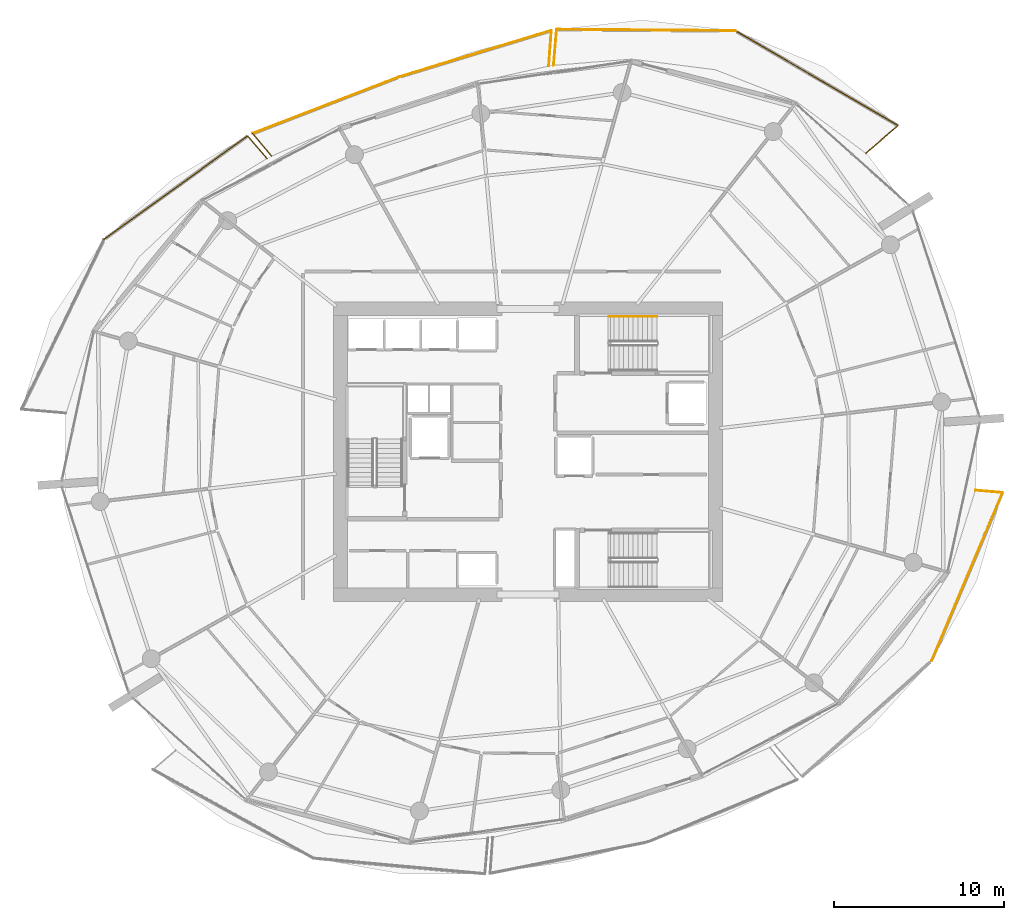
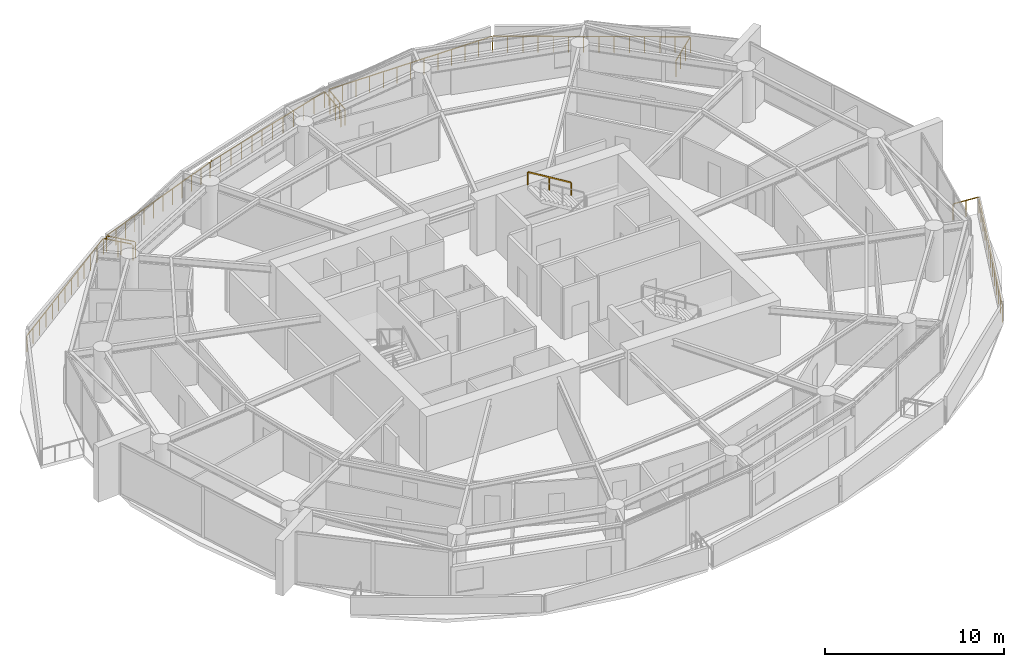
# One storey, part 20 of 20: 13 railings.
"""IFC4 building model written with IfcOpenShell, lengths in metres."""

from ifc_helpers import new_model, si_unit, direction, frame, origin, origin_2d, place, context, subcontext, project, spatial, rectangle, extrude, material, type_object, element, save


model = new_model("IFC4")

# Units and contexts
model_context = context("Model", 3, precision=1e-05, world=origin(), true_north=direction((0.0, 1.0)))
body_context = subcontext(model_context, "Body", "Model", "MODEL_VIEW")
ifc_project = project(units=[si_unit("LENGTHUNIT", "METRE"), si_unit("AREAUNIT", "SQUARE_METRE"), si_unit("VOLUMEUNIT", "CUBIC_METRE"), si_unit("PLANEANGLEUNIT", "RADIAN"), si_unit("MASSUNIT", "GRAM", prefix="KILO")], contexts=[model_context])

# Site, building, storey
site_placement = place(None, origin())
site = spatial("IfcSite", under=ifc_project, at=site_placement, CompositionType="ELEMENT")
building_placement = place(site_placement, origin())
building = spatial("IfcBuilding", under=site, at=building_placement, Name="Kazma Halo Residences", CompositionType="ELEMENT")
storey_placement = place(building_placement, frame((0.0, 0.0, 165.300048828125)))
storey = spatial("IfcBuildingStorey", under=building, at=storey_placement, Name="L41", CompositionType="ELEMENT", Elevation=165.300048828125)

# Railings
ifc_material_1 = material(Name="Aluminium AW-6063 T6 Brushed Cap Rail", Category="aluminium")
railing_type_1 = type_object("IfcRailingType", Name="RLG-BAL-CAP-1120", PredefinedType="BALUSTRADE", material=ifc_material_1)
railing_1_placement = place(storey_placement, frame((68.294677734375, 59.548583984375, 0.0)))
element("IfcRailing", 1, at=railing_1_placement, inside=storey, type_object=railing_type_1, Name="L41 NE wave balcony guard 1", PredefinedType="BALUSTRADE", context=body_context, shape_type="SweptSolid", body=[
    extrude(rectangle(XDim=0.050048828125, YDim=0.050048828125, at=origin_2d()), frame((0.0322265625, 0.02783203125, 1.09521484375), z_axis=(0.756338286359, 0.65418070637, 0.0), x_axis=(-0.65418070637, 0.756338286359, 0.0)), (0.0, 0.0, 1.0), 2.407470703125),
    extrude(rectangle(XDim=0.0400390625, YDim=0.0400390625, at=origin_2d()), origin(), (0.0, 0.0, 1.0), 1.05810546875),
    extrude(rectangle(XDim=0.0400390625, YDim=0.0400390625, at=origin_2d()), frame((0.62841796875, 0.54345703125, 0.0)), (0.0, 0.0, 1.0), 1.05810546875),
    extrude(rectangle(XDim=0.0400390625, YDim=0.0400390625, at=origin_2d()), frame((1.2568359375, 1.087158203125, 0.0)), (0.0, 0.0, 1.0), 1.05810546875),
    extrude(rectangle(XDim=0.0400390625, YDim=0.0400390625, at=origin_2d()), frame((1.88525390625, 1.630615234375, 0.0)), (0.0, 0.0, 1.0), 1.05810546875),
])
railing_2_placement = place(storey_placement, frame((70.179931640625, 61.17919921875, 0.0)))
element("IfcRailing", 2, at=railing_2_placement, inside=storey, type_object=railing_type_1, Name="L41 NE wave balcony guard 2", PredefinedType="BALUSTRADE", context=body_context, shape_type="SweptSolid", body=[
    extrude(rectangle(XDim=0.050048828125, YDim=0.050048828125, at=origin_2d()), frame((-0.036865234375, 0.021484375, 1.09521484375), z_axis=(-0.863969963727, 0.503543346474, 0.0), x_axis=(-0.503543346474, -0.863969963727, 0.0)), (0.0, 0.0, 1.0), 10.98779296875),
    extrude(rectangle(XDim=0.0400390625, YDim=0.0400390625, at=origin_2d()), origin(), (0.0, 0.0, 1.0), 1.05810546875),
    extrude(rectangle(XDim=0.0400390625, YDim=0.0400390625, at=origin_2d()), frame((-0.73583984375, 0.428955078125, 0.0)), (0.0, 0.0, 1.0), 1.05810546875),
    extrude(rectangle(XDim=0.0400390625, YDim=0.0400390625, at=origin_2d()), frame((-1.4716796875, 0.85791015625, 0.0)), (0.0, 0.0, 1.0), 1.05810546875),
    extrude(rectangle(XDim=0.0400390625, YDim=0.0400390625, at=origin_2d()), frame((-2.207763671875, 1.28662109375, 0.0)), (0.0, 0.0, 1.0), 1.05810546875),
    extrude(rectangle(XDim=0.0400390625, YDim=0.0400390625, at=origin_2d()), frame((-2.943603515625, 1.715576171875, 0.0)), (0.0, 0.0, 1.0), 1.05810546875),
    extrude(rectangle(XDim=0.0400390625, YDim=0.0400390625, at=origin_2d()), frame((-3.679443359375, 2.14453125, 0.0)), (0.0, 0.0, 1.0), 1.05810546875),
    extrude(rectangle(XDim=0.0400390625, YDim=0.0400390625, at=origin_2d()), frame((-4.415283203125, 2.573486328125, 0.0)), (0.0, 0.0, 1.0), 1.05810546875),
    extrude(rectangle(XDim=0.0400390625, YDim=0.0400390625, at=origin_2d()), frame((-5.1513671875, 3.002197265625, 0.0)), (0.0, 0.0, 1.0), 1.05810546875),
    extrude(rectangle(XDim=0.0400390625, YDim=0.0400390625, at=origin_2d()), frame((-5.88720703125, 3.43115234375, 0.0)), (0.0, 0.0, 1.0), 1.05810546875),
    extrude(rectangle(XDim=0.0400390625, YDim=0.0400390625, at=origin_2d()), frame((-6.623046875, 3.860107421875, 0.0)), (0.0, 0.0, 1.0), 1.05810546875),
    extrude(rectangle(XDim=0.0400390625, YDim=0.0400390625, at=origin_2d()), frame((-7.35888671875, 4.2890625, 0.0)), (0.0, 0.0, 1.0), 1.05810546875),
    extrude(rectangle(XDim=0.0400390625, YDim=0.0400390625, at=origin_2d()), frame((-8.094970703125, 4.7177734375, 0.0)), (0.0, 0.0, 1.0), 1.05810546875),
    extrude(rectangle(XDim=0.0400390625, YDim=0.0400390625, at=origin_2d()), frame((-8.830810546875, 5.146728515625, 0.0)), (0.0, 0.0, 1.0), 1.05810546875),
    extrude(rectangle(XDim=0.0400390625, YDim=0.0400390625, at=origin_2d()), frame((-9.566650390625, 5.57568359375, 0.0)), (0.0, 0.0, 1.0), 1.05810546875),
])
railing_3_placement = place(storey_placement, frame((60.61328125, 66.7548828125, 0.0)))
element("IfcRailing", 3, at=railing_3_placement, inside=storey, type_object=railing_type_1, Name="L41 NE wave balcony guard 3", PredefinedType="BALUSTRADE", context=body_context, shape_type="SweptSolid", body=[
    extrude(rectangle(XDim=0.050048828125, YDim=0.050048828125, at=origin_2d()), frame((-0.04248046875, 0.000244140625, 1.09521484375), z_axis=(-0.999973550466, 0.007273126395, 0.0), x_axis=(-0.007273126395, -0.999973550466, 0.0)), (0.0, 0.0, 1.0), 10.421630859375),
    extrude(rectangle(XDim=0.0400390625, YDim=0.0400390625, at=origin_2d()), origin(), (0.0, 0.0, 1.0), 1.05810546875),
    extrude(rectangle(XDim=0.0400390625, YDim=0.0400390625, at=origin_2d()), frame((-0.87548828125, 0.00634765625, 0.0)), (0.0, 0.0, 1.0), 1.05810546875),
    extrude(rectangle(XDim=0.0400390625, YDim=0.0400390625, at=origin_2d()), frame((-1.7509765625, 0.0126953125, 0.0)), (0.0, 0.0, 1.0), 1.05810546875),
    extrude(rectangle(XDim=0.0400390625, YDim=0.0400390625, at=origin_2d()), frame((-2.62646484375, 0.01904296875, 0.0)), (0.0, 0.0, 1.0), 1.05810546875),
    extrude(rectangle(XDim=0.0400390625, YDim=0.0400390625, at=origin_2d()), frame((-3.502197265625, 0.025390625, 0.0)), (0.0, 0.0, 1.0), 1.05810546875),
    extrude(rectangle(XDim=0.0400390625, YDim=0.0400390625, at=origin_2d()), frame((-4.377685546875, 0.03173828125, 0.0)), (0.0, 0.0, 1.0), 1.05810546875),
    extrude(rectangle(XDim=0.0400390625, YDim=0.0400390625, at=origin_2d()), frame((-5.253173828125, 0.0380859375, 0.0)), (0.0, 0.0, 1.0), 1.05810546875),
    extrude(rectangle(XDim=0.0400390625, YDim=0.0400390625, at=origin_2d()), frame((-6.128662109375, 0.044677734375, 0.0)), (0.0, 0.0, 1.0), 1.05810546875),
    extrude(rectangle(XDim=0.0400390625, YDim=0.0400390625, at=origin_2d()), frame((-7.004150390625, 0.051025390625, 0.0)), (0.0, 0.0, 1.0), 1.05810546875),
    extrude(rectangle(XDim=0.0400390625, YDim=0.0400390625, at=origin_2d()), frame((-7.8798828125, 0.057373046875, 0.0)), (0.0, 0.0, 1.0), 1.05810546875),
    extrude(rectangle(XDim=0.0400390625, YDim=0.0400390625, at=origin_2d()), frame((-8.75537109375, 0.063720703125, 0.0)), (0.0, 0.0, 1.0), 1.05810546875),
    extrude(rectangle(XDim=0.0400390625, YDim=0.0400390625, at=origin_2d()), frame((-9.630859375, 0.070068359375, 0.0)), (0.0, 0.0, 1.0), 1.05810546875),
    extrude(rectangle(XDim=0.0400390625, YDim=0.0400390625, at=origin_2d()), frame((-10.50634765625, 0.076416015625, 0.0)), (0.0, 0.0, 1.0), 1.05810546875),
])
railing_4_placement = place(storey_placement, frame((50.10693359375, 66.831298828125, 0.0)))
element("IfcRailing", 4, at=railing_4_placement, inside=storey, type_object=railing_type_1, Name="L41 NE wave balcony guard 4", PredefinedType="BALUSTRADE", context=body_context, shape_type="SweptSolid", body=[
    extrude(rectangle(XDim=0.050048828125, YDim=0.050048828125, at=origin_2d()), frame((-0.003662109375, -0.04248046875, 1.09521484375), z_axis=(-0.084476046616, -0.996425510286, 0.0), x_axis=(0.996425510286, -0.084476046616, 0.0)), (0.0, 0.0, 1.0), 2.033447265625),
    extrude(rectangle(XDim=0.0400390625, YDim=0.0400390625, at=origin_2d()), origin(), (0.0, 0.0, 1.0), 1.05810546875),
    extrude(rectangle(XDim=0.0400390625, YDim=0.0400390625, at=origin_2d()), frame((-0.0595703125, -0.70361328125, 0.0)), (0.0, 0.0, 1.0), 1.05810546875),
    extrude(rectangle(XDim=0.0400390625, YDim=0.0400390625, at=origin_2d()), frame((-0.119384765625, -1.4072265625, 0.0)), (0.0, 0.0, 1.0), 1.05810546875),
    extrude(rectangle(XDim=0.0400390625, YDim=0.0400390625, at=origin_2d()), frame((-0.178955078125, -2.11083984375, 0.0)), (0.0, 0.0, 1.0), 1.05810546875),
])
railing_5_placement = place(storey_placement, frame((49.6455078125, 64.67822265625, 0.0)))
element("IfcRailing", 5, at=railing_5_placement, inside=storey, type_object=railing_type_1, Name="L41 NNW wave balcony guard 1", PredefinedType="BALUSTRADE", context=body_context, shape_type="SweptSolid", body=[
    extrude(rectangle(XDim=0.050048828125, YDim=0.050048828125, at=origin_2d()), frame((0.003173828125, 0.04248046875, 1.09521484375), z_axis=(0.072373392649, 0.997377607547, 0.0), x_axis=(-0.997377607547, 0.072373392649, 0.0)), (0.0, 0.0, 1.0), 2.009765625),
    extrude(rectangle(XDim=0.0400390625, YDim=0.0400390625, at=origin_2d()), origin(), (0.0, 0.0, 1.0), 1.05810546875),
    extrude(rectangle(XDim=0.0400390625, YDim=0.0400390625, at=origin_2d()), frame((0.050537109375, 0.696533203125, 0.0)), (0.0, 0.0, 1.0), 1.05810546875),
    extrude(rectangle(XDim=0.0400390625, YDim=0.0400390625, at=origin_2d()), frame((0.10107421875, 1.392822265625, 0.0)), (0.0, 0.0, 1.0), 1.05810546875),
    extrude(rectangle(XDim=0.0400390625, YDim=0.0400390625, at=origin_2d()), frame((0.151611328125, 2.08935546875, 0.0)), (0.0, 0.0, 1.0), 1.05810546875),
])
railing_6_placement = place(storey_placement, frame((49.797119140625, 66.767578125, 0.0)))
element("IfcRailing", 6, at=railing_6_placement, inside=storey, type_object=railing_type_1, Name="L41 NNW wave balcony guard 2", PredefinedType="BALUSTRADE", context=body_context, shape_type="SweptSolid", body=[
    extrude(rectangle(XDim=0.050048828125, YDim=0.050048828125, at=origin_2d()), frame((-0.040771484375, -0.012451171875, 1.09521484375), z_axis=(-0.956417122002, -0.29200391905, 0.0), x_axis=(0.29200391905, -0.956417122002, 0.0)), (0.0, 0.0, 1.0), 9.279052734375),
    extrude(rectangle(XDim=0.0400390625, YDim=0.0400390625, at=origin_2d()), origin(), (0.0, 0.0, 1.0), 1.05810546875),
    extrude(rectangle(XDim=0.0400390625, YDim=0.0400390625, at=origin_2d()), frame((-0.814208984375, -0.24853515625, 0.0)), (0.0, 0.0, 1.0), 1.05810546875),
    extrude(rectangle(XDim=0.0400390625, YDim=0.0400390625, at=origin_2d()), frame((-1.62841796875, -0.4970703125, 0.0)), (0.0, 0.0, 1.0), 1.05810546875),
    extrude(rectangle(XDim=0.0400390625, YDim=0.0400390625, at=origin_2d()), frame((-2.442626953125, -0.745849609375, 0.0)), (0.0, 0.0, 1.0), 1.05810546875),
    extrude(rectangle(XDim=0.0400390625, YDim=0.0400390625, at=origin_2d()), frame((-3.2568359375, -0.994384765625, 0.0)), (0.0, 0.0, 1.0), 1.05810546875),
    extrude(rectangle(XDim=0.0400390625, YDim=0.0400390625, at=origin_2d()), frame((-4.071044921875, -1.242919921875, 0.0)), (0.0, 0.0, 1.0), 1.05810546875),
    extrude(rectangle(XDim=0.0400390625, YDim=0.0400390625, at=origin_2d()), frame((-4.885009765625, -1.491455078125, 0.0)), (0.0, 0.0, 1.0), 1.05810546875),
    extrude(rectangle(XDim=0.0400390625, YDim=0.0400390625, at=origin_2d()), frame((-5.69921875, -1.739990234375, 0.0)), (0.0, 0.0, 1.0), 1.05810546875),
    extrude(rectangle(XDim=0.0400390625, YDim=0.0400390625, at=origin_2d()), frame((-6.513427734375, -1.988525390625, 0.0)), (0.0, 0.0, 1.0), 1.05810546875),
    extrude(rectangle(XDim=0.0400390625, YDim=0.0400390625, at=origin_2d()), frame((-7.32763671875, -2.2373046875, 0.0)), (0.0, 0.0, 1.0), 1.05810546875),
    extrude(rectangle(XDim=0.0400390625, YDim=0.0400390625, at=origin_2d()), frame((-8.141845703125, -2.48583984375, 0.0)), (0.0, 0.0, 1.0), 1.05810546875),
    extrude(rectangle(XDim=0.0400390625, YDim=0.0400390625, at=origin_2d()), frame((-8.9560546875, -2.734375, 0.0)), (0.0, 0.0, 1.0), 1.05810546875),
])
railing_7_placement = place(storey_placement, frame((40.841064453125, 64.033203125, 0.0)))
element("IfcRailing", 7, at=railing_7_placement, inside=storey, type_object=railing_type_1, Name="L41 NNW wave balcony guard 3", PredefinedType="BALUSTRADE", context=body_context, shape_type="SweptSolid", body=[
    extrude(rectangle(XDim=0.050048828125, YDim=0.050048828125, at=origin_2d()), frame((-0.039794921875, -0.015380859375, 1.09521484375), z_axis=(-0.932752497644, -0.36051737564, 0.0), x_axis=(0.36051737564, -0.932752497644, 0.0)), (0.0, 0.0, 1.0), 9.15380859375),
    extrude(rectangle(XDim=0.0400390625, YDim=0.0400390625, at=origin_2d()), origin(), (0.0, 0.0, 1.0), 1.05810546875),
    extrude(rectangle(XDim=0.0400390625, YDim=0.0400390625, at=origin_2d()), frame((-0.783447265625, -0.302734375, 0.0)), (0.0, 0.0, 1.0), 1.05810546875),
    extrude(rectangle(XDim=0.0400390625, YDim=0.0400390625, at=origin_2d()), frame((-1.56689453125, -0.605712890625, 0.0)), (0.0, 0.0, 1.0), 1.05810546875),
    extrude(rectangle(XDim=0.0400390625, YDim=0.0400390625, at=origin_2d()), frame((-2.350341796875, -0.908447265625, 0.0)), (0.0, 0.0, 1.0), 1.05810546875),
    extrude(rectangle(XDim=0.0400390625, YDim=0.0400390625, at=origin_2d()), frame((-3.1337890625, -1.211181640625, 0.0)), (0.0, 0.0, 1.0), 1.05810546875),
    extrude(rectangle(XDim=0.0400390625, YDim=0.0400390625, at=origin_2d()), frame((-3.917236328125, -1.513916015625, 0.0)), (0.0, 0.0, 1.0), 1.05810546875),
    extrude(rectangle(XDim=0.0400390625, YDim=0.0400390625, at=origin_2d()), frame((-4.700439453125, -1.81689453125, 0.0)), (0.0, 0.0, 1.0), 1.05810546875),
    extrude(rectangle(XDim=0.0400390625, YDim=0.0400390625, at=origin_2d()), frame((-5.48388671875, -2.11962890625, 0.0)), (0.0, 0.0, 1.0), 1.05810546875),
    extrude(rectangle(XDim=0.0400390625, YDim=0.0400390625, at=origin_2d()), frame((-6.267333984375, -2.42236328125, 0.0)), (0.0, 0.0, 1.0), 1.05810546875),
    extrude(rectangle(XDim=0.0400390625, YDim=0.0400390625, at=origin_2d()), frame((-7.05078125, -2.72509765625, 0.0)), (0.0, 0.0, 1.0), 1.05810546875),
    extrude(rectangle(XDim=0.0400390625, YDim=0.0400390625, at=origin_2d()), frame((-7.834228515625, -3.028076171875, 0.0)), (0.0, 0.0, 1.0), 1.05810546875),
    extrude(rectangle(XDim=0.0400390625, YDim=0.0400390625, at=origin_2d()), frame((-8.61767578125, -3.330810546875, 0.0)), (0.0, 0.0, 1.0), 1.05810546875),
])
railing_8_placement = place(storey_placement, frame((32.223388671875, 60.702392578125, 0.0)))
element("IfcRailing", 8, at=railing_8_placement, inside=storey, type_object=railing_type_1, Name="L41 NNW wave balcony guard 4", PredefinedType="BALUSTRADE", context=body_context, shape_type="SweptSolid", body=[
    extrude(rectangle(XDim=0.050048828125, YDim=0.050048828125, at=origin_2d()), frame((0.02734375, -0.032470703125, 1.09521484375), z_axis=(0.644739558111, -0.764402316981, 0.0), x_axis=(0.764402316981, 0.644739558111, 0.0)), (0.0, 0.0, 1.0), 1.64501953125),
    extrude(rectangle(XDim=0.0400390625, YDim=0.0400390625, at=origin_2d()), origin(), (0.0, 0.0, 1.0), 1.05810546875),
    extrude(rectangle(XDim=0.0400390625, YDim=0.0400390625, at=origin_2d()), frame((0.5576171875, -0.6611328125, 0.0)), (0.0, 0.0, 1.0), 1.05810546875),
    extrude(rectangle(XDim=0.0400390625, YDim=0.0400390625, at=origin_2d()), frame((1.115478515625, -1.322509765625, 0.0)), (0.0, 0.0, 1.0), 1.05810546875),
])
railing_9_placement = place(storey_placement, frame((33.08544921875, 59.248046875, 0.0)))
element("IfcRailing", 9, at=railing_9_placement, inside=storey, type_object=railing_type_1, Name="L41 NW wave balcony guard 1", PredefinedType="BALUSTRADE", context=body_context, shape_type="SweptSolid", body=[
    extrude(rectangle(XDim=0.050048828125, YDim=0.050048828125, at=origin_2d()), frame((-0.02783203125, 0.0322265625, 1.09521484375), z_axis=(-0.653983459738, 0.756508846207, 0.0), x_axis=(-0.756508846207, -0.653983459738, 0.0)), (0.0, 0.0, 1.0), 1.662841796875),
    extrude(rectangle(XDim=0.0400390625, YDim=0.0400390625, at=origin_2d()), origin(), (0.0, 0.0, 1.0), 1.05810546875),
    extrude(rectangle(XDim=0.0400390625, YDim=0.0400390625, at=origin_2d()), frame((-0.571533203125, 0.6611328125, 0.0)), (0.0, 0.0, 1.0), 1.05810546875),
    extrude(rectangle(XDim=0.0400390625, YDim=0.0400390625, at=origin_2d()), frame((-1.14306640625, 1.322265625, 0.0)), (0.0, 0.0, 1.0), 1.05810546875),
])
railing_10_placement = place(storey_placement, frame((31.9423828125, 60.5703125, 0.0)))
element("IfcRailing", 10, at=railing_10_placement, inside=storey, type_object=railing_type_1, Name="L41 NW wave balcony guard 2", PredefinedType="BALUSTRADE", context=body_context, shape_type="SweptSolid", body=[
    extrude(rectangle(XDim=0.050048828125, YDim=0.050048828125, at=origin_2d()), frame((-0.034423828125, -0.02490234375, 1.09521484375), z_axis=(-0.811368830373, -0.58453453371, 0.0), x_axis=(0.58453453371, -0.811368830373, 0.0)), (0.0, 0.0, 1.0), 10.324951171875),
    extrude(rectangle(XDim=0.0400390625, YDim=0.0400390625, at=origin_2d()), origin(), (0.0, 0.0, 1.0), 1.05810546875),
    extrude(rectangle(XDim=0.0400390625, YDim=0.0400390625, at=origin_2d()), frame((-0.703857421875, -0.507080078125, 0.0)), (0.0, 0.0, 1.0), 1.05810546875),
    extrude(rectangle(XDim=0.0400390625, YDim=0.0400390625, at=origin_2d()), frame((-1.40771484375, -1.01416015625, 0.0)), (0.0, 0.0, 1.0), 1.05810546875),
    extrude(rectangle(XDim=0.0400390625, YDim=0.0400390625, at=origin_2d()), frame((-2.111572265625, -1.521240234375, 0.0)), (0.0, 0.0, 1.0), 1.05810546875),
    extrude(rectangle(XDim=0.0400390625, YDim=0.0400390625, at=origin_2d()), frame((-2.8154296875, -2.0283203125, 0.0)), (0.0, 0.0, 1.0), 1.05810546875),
    extrude(rectangle(XDim=0.0400390625, YDim=0.0400390625, at=origin_2d()), frame((-3.519287109375, -2.535400390625, 0.0)), (0.0, 0.0, 1.0), 1.05810546875),
    extrude(rectangle(XDim=0.0400390625, YDim=0.0400390625, at=origin_2d()), frame((-4.22314453125, -3.04248046875, 0.0)), (0.0, 0.0, 1.0), 1.05810546875),
    extrude(rectangle(XDim=0.0400390625, YDim=0.0400390625, at=origin_2d()), frame((-4.927001953125, -3.549560546875, 0.0)), (0.0, 0.0, 1.0), 1.05810546875),
    extrude(rectangle(XDim=0.0400390625, YDim=0.0400390625, at=origin_2d()), frame((-5.630859375, -4.056640625, 0.0)), (0.0, 0.0, 1.0), 1.05810546875),
    extrude(rectangle(XDim=0.0400390625, YDim=0.0400390625, at=origin_2d()), frame((-6.334716796875, -4.563720703125, 0.0)), (0.0, 0.0, 1.0), 1.05810546875),
    extrude(rectangle(XDim=0.0400390625, YDim=0.0400390625, at=origin_2d()), frame((-7.03857421875, -5.07080078125, 0.0)), (0.0, 0.0, 1.0), 1.05810546875),
    extrude(rectangle(XDim=0.0400390625, YDim=0.0400390625, at=origin_2d()), frame((-7.742431640625, -5.577880859375, 0.0)), (0.0, 0.0, 1.0), 1.05810546875),
    extrude(rectangle(XDim=0.0400390625, YDim=0.0400390625, at=origin_2d()), frame((-8.4462890625, -6.0849609375, 0.0)), (0.0, 0.0, 1.0), 1.05810546875),
])
railing_11_placement = place(storey_placement, frame((72.1494140625, 29.6953125, 0.0)))
element("IfcRailing", 11, at=railing_11_placement, inside=storey, type_object=railing_type_1, Name="L41 SE wave balcony guard 3", PredefinedType="BALUSTRADE", context=body_context, shape_type="SweptSolid", body=[
    extrude(rectangle(XDim=0.050048828125, YDim=0.050048828125, at=origin_2d()), frame((0.0166015625, 0.039306640625, 1.09521484375), z_axis=(0.388678506604, 0.921373441393, 0.0), x_axis=(-0.921373441393, 0.388678506604, 0.0)), (0.0, 0.0, 1.0), 10.660888671875),
    extrude(rectangle(XDim=0.0400390625, YDim=0.0400390625, at=origin_2d()), origin(), (0.0, 0.0, 1.0), 1.05810546875),
    extrude(rectangle(XDim=0.0400390625, YDim=0.0400390625, at=origin_2d()), frame((0.34814453125, 0.8251953125, 0.0)), (0.0, 0.0, 1.0), 1.05810546875),
    extrude(rectangle(XDim=0.0400390625, YDim=0.0400390625, at=origin_2d()), frame((0.696044921875, 1.650146484375, 0.0)), (0.0, 0.0, 1.0), 1.05810546875),
    extrude(rectangle(XDim=0.0400390625, YDim=0.0400390625, at=origin_2d()), frame((1.044189453125, 2.475341796875, 0.0)), (0.0, 0.0, 1.0), 1.05810546875),
    extrude(rectangle(XDim=0.0400390625, YDim=0.0400390625, at=origin_2d()), frame((1.392333984375, 3.30029296875, 0.0)), (0.0, 0.0, 1.0), 1.05810546875),
    extrude(rectangle(XDim=0.0400390625, YDim=0.0400390625, at=origin_2d()), frame((1.740234375, 4.12548828125, 0.0)), (0.0, 0.0, 1.0), 1.05810546875),
    extrude(rectangle(XDim=0.0400390625, YDim=0.0400390625, at=origin_2d()), frame((2.08837890625, 4.95068359375, 0.0)), (0.0, 0.0, 1.0), 1.05810546875),
    extrude(rectangle(XDim=0.0400390625, YDim=0.0400390625, at=origin_2d()), frame((2.4365234375, 5.775634765625, 0.0)), (0.0, 0.0, 1.0), 1.05810546875),
    extrude(rectangle(XDim=0.0400390625, YDim=0.0400390625, at=origin_2d()), frame((2.784423828125, 6.600830078125, 0.0)), (0.0, 0.0, 1.0), 1.05810546875),
    extrude(rectangle(XDim=0.0400390625, YDim=0.0400390625, at=origin_2d()), frame((3.132568359375, 7.42578125, 0.0)), (0.0, 0.0, 1.0), 1.05810546875),
    extrude(rectangle(XDim=0.0400390625, YDim=0.0400390625, at=origin_2d()), frame((3.480712890625, 8.2509765625, 0.0)), (0.0, 0.0, 1.0), 1.05810546875),
    extrude(rectangle(XDim=0.0400390625, YDim=0.0400390625, at=origin_2d()), frame((3.82861328125, 9.075927734375, 0.0)), (0.0, 0.0, 1.0), 1.05810546875),
    extrude(rectangle(XDim=0.0400390625, YDim=0.0400390625, at=origin_2d()), frame((4.1767578125, 9.901123046875, 0.0)), (0.0, 0.0, 1.0), 1.05810546875),
])
railing_12_placement = place(storey_placement, frame((76.326171875, 39.596435546875, 0.0)))
element("IfcRailing", 12, at=railing_12_placement, inside=storey, type_object=railing_type_1, Name="L41 SE wave balcony guard 4", PredefinedType="BALUSTRADE", context=body_context, shape_type="SweptSolid", body=[
    extrude(rectangle(XDim=0.050048828125, YDim=0.050048828125, at=origin_2d()), frame((-0.04248046875, 0.003662109375, 1.09521484375), z_axis=(-0.996413914796, 0.084612708277, 0.0), x_axis=(-0.084612708277, -0.996413914796, 0.0)), (0.0, 0.0, 1.0), 1.513427734375),
    extrude(rectangle(XDim=0.0400390625, YDim=0.0400390625, at=origin_2d()), origin(), (0.0, 0.0, 1.0), 1.05810546875),
    extrude(rectangle(XDim=0.0400390625, YDim=0.0400390625, at=origin_2d()), frame((-0.79638671875, 0.067626953125, 0.0)), (0.0, 0.0, 1.0), 1.05810546875),
    extrude(rectangle(XDim=0.0400390625, YDim=0.0400390625, at=origin_2d()), frame((-1.5927734375, 0.13525390625, 0.0)), (0.0, 0.0, 1.0), 1.05810546875),
])
ifc_material_2 = material(Name="Brushed Stainless Steel", Category="steel")
railing_type_2 = type_object("IfcRailingType", Name="RLG-STAIR-HND-900", PredefinedType="HANDRAIL", material=ifc_material_2)
railing_13_placement = place(storey_placement, frame((56.0, 49.949951171875, 2.04541015625)))
element("IfcRailing", 13, at=railing_13_placement, inside=storey, type_object=railing_type_2, Name="L41 ST-02 stair handrail 2", PredefinedType="HANDRAIL", context=body_context, shape_type="SweptSolid", body=[
    extrude(rectangle(XDim=0.050048828125, YDim=0.050048828125, at=origin_2d()), frame((-0.036376953125, 0.0, 0.89697265625), z_axis=(-0.854169791009, 0.0, 0.51999420009), x_axis=(0.0, -1.0, 0.0)), (0.0, 0.0, 1.0), 3.193115234375),
    extrude(rectangle(XDim=0.0400390625, YDim=0.0400390625, at=origin_2d()), origin(), (0.0, 0.0, 1.0), 0.837890625),
    extrude(rectangle(XDim=0.0400390625, YDim=0.0400390625, at=origin_2d()), frame((-1.39990234375, 0.0, 0.852294921875)), (0.0, 0.0, 1.0), 0.837890625),
    extrude(rectangle(XDim=0.0400390625, YDim=0.0400390625, at=origin_2d()), frame((-2.800048828125, 0.0, 1.70458984375)), (0.0, 0.0, 1.0), 0.837890625),
])

save(model, "model.ifc")
